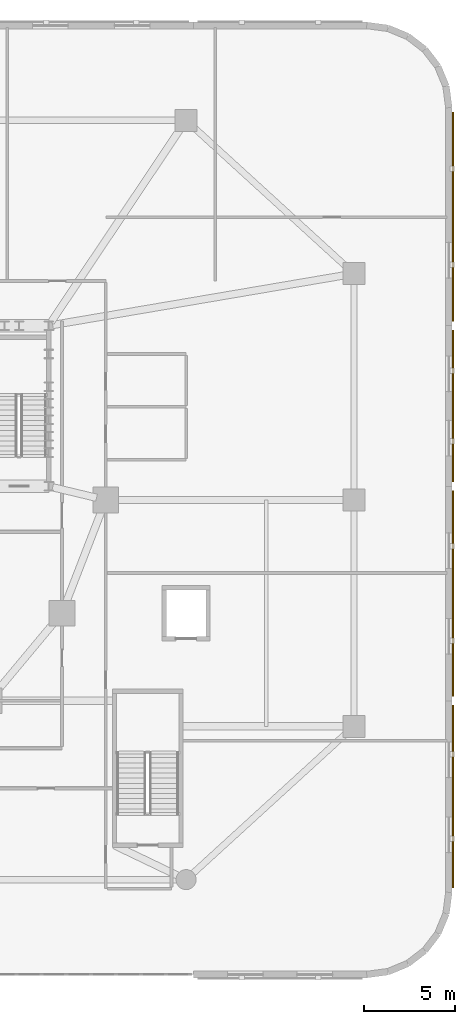
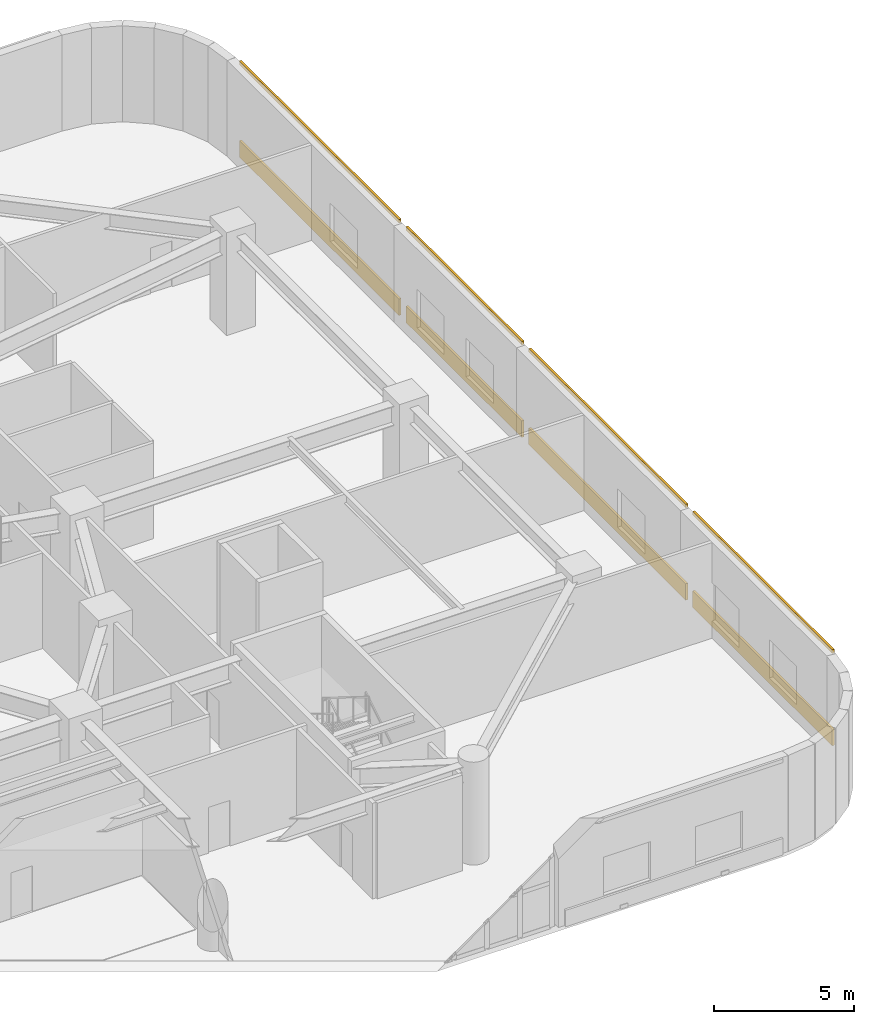
# One storey, part 25 of 25: 8 coverings.
"""IFC4 building model written with IfcOpenShell, lengths in metres."""

from ifc_helpers import new_model, si_unit, direction, frame, origin, place, context, subcontext, project, spatial, polyline, outline, extrude, material, layer, layer_set, type_object, element, save


model = new_model("IFC4")

# Units and contexts
model_context = context("Model", 3, precision=1e-05, world=origin(), true_north=direction((0.0, 1.0)))
body_context = subcontext(model_context, "Body", "Model", "MODEL_VIEW")
ifc_project = project(units=[si_unit("LENGTHUNIT", "METRE"), si_unit("AREAUNIT", "SQUARE_METRE"), si_unit("VOLUMEUNIT", "CUBIC_METRE"), si_unit("PLANEANGLEUNIT", "RADIAN"), si_unit("MASSUNIT", "GRAM", prefix="KILO")], contexts=[model_context])

# Site, building, storey
site_placement = place(None, origin())
site = spatial("IfcSite", under=ifc_project, at=site_placement, CompositionType="ELEMENT")
building_placement = place(site_placement, origin())
building = spatial("IfcBuilding", under=site, at=building_placement, Name="Haldorwick Loom Tower", CompositionType="ELEMENT")
storey_placement = place(building_placement, frame((0.0, 0.0, 10.5)))
storey = spatial("IfcBuildingStorey", under=building, at=storey_placement, Name="L02", CompositionType="ELEMENT", Elevation=10.5)

# Coverings
ifc_material = material(Name="Corbelled Pressed Clay Face Brick Veneer", Category="masonry")
ifc_layer = layer(ifc_material, 0.090087890625, Name="Corbelled Pressed Clay Face Brick Veneer", Category="masonry")
ifc_layer_set = layer_set([ifc_layer], Name="Corbelled Pressed Clay Face Brick Veneer")
covering_type = type_object("IfcCoveringType", Name="ARC-COV-BRICK090", PredefinedType="CLADDING", material=ifc_layer_set)
covering_1_placement = place(storey_placement, origin())
element("IfcCovering", 1, at=covering_1_placement, inside=storey, type_object=covering_type, Name="L02 Sill Face-Brick Spandrel 7", PredefinedType="CLADDING", context=body_context, shape_type="SweptSolid", body=[
    extrude(outline(polyline([(72.27001953125, 4.75), (72.27001953125, 14.75), (72.179931640625, 14.75), (72.179931640625, 4.75), (72.27001953125, 4.75)])), origin(), (0.0, 0.0, 1.0), 0.719970703125),
])
covering_2_placement = place(storey_placement, frame((0.0, 0.0, 4.0400390625)))
element("IfcCovering", 2, at=covering_2_placement, inside=storey, type_object=covering_type, Name="L02 Head Face-Brick Lintel Band 7", PredefinedType="CLADDING", context=body_context, shape_type="SweptSolid", body=[
    extrude(outline(polyline([(72.27001953125, 4.75), (72.27001953125, 14.75), (72.179931640625, 14.75), (72.179931640625, 4.75), (72.27001953125, 4.75)])), origin(), (0.0, 0.0, 1.0), 0.159912109375),
])
covering_3_placement = place(storey_placement, origin())
element("IfcCovering", 3, at=covering_3_placement, inside=storey, type_object=covering_type, Name="L02 Sill Face-Brick Spandrel 8", PredefinedType="CLADDING", context=body_context, shape_type="SweptSolid", body=[
    extrude(outline(polyline([(72.27001953125, 15.25), (72.27001953125, 26.5), (72.179931640625, 26.5), (72.179931640625, 15.25), (72.27001953125, 15.25)])), origin(), (0.0, 0.0, 1.0), 0.719970703125),
])
covering_4_placement = place(storey_placement, frame((0.0, 0.0, 4.0400390625)))
element("IfcCovering", 4, at=covering_4_placement, inside=storey, type_object=covering_type, Name="L02 Head Face-Brick Lintel Band 8", PredefinedType="CLADDING", context=body_context, shape_type="SweptSolid", body=[
    extrude(outline(polyline([(72.27001953125, 15.25), (72.27001953125, 26.5), (72.179931640625, 26.5), (72.179931640625, 15.25), (72.27001953125, 15.25)])), origin(), (0.0, 0.0, 1.0), 0.159912109375),
])
covering_5_placement = place(storey_placement, origin())
element("IfcCovering", 5, at=covering_5_placement, inside=storey, type_object=covering_type, Name="L02 Sill Face-Brick Spandrel 9", PredefinedType="CLADDING", context=body_context, shape_type="SweptSolid", body=[
    extrude(outline(polyline([(72.27001953125, 27.0), (72.27001953125, 35.300048828125), (72.179931640625, 35.300048828125), (72.179931640625, 27.0), (72.27001953125, 27.0)])), origin(), (0.0, 0.0, 1.0), 0.719970703125),
])
covering_6_placement = place(storey_placement, frame((0.0, 0.0, 4.0400390625)))
element("IfcCovering", 6, at=covering_6_placement, inside=storey, type_object=covering_type, Name="L02 Head Face-Brick Lintel Band 9", PredefinedType="CLADDING", context=body_context, shape_type="SweptSolid", body=[
    extrude(outline(polyline([(72.27001953125, 27.0), (72.27001953125, 35.300048828125), (72.179931640625, 35.300048828125), (72.179931640625, 27.0), (72.27001953125, 27.0)])), origin(), (0.0, 0.0, 1.0), 0.159912109375),
])
covering_7_placement = place(storey_placement, origin())
element("IfcCovering", 7, at=covering_7_placement, inside=storey, type_object=covering_type, Name="L02 Sill Face-Brick Spandrel 10", PredefinedType="CLADDING", context=body_context, shape_type="SweptSolid", body=[
    extrude(outline(polyline([(72.27001953125, 35.800048828125), (72.27001953125, 47.25), (72.179931640625, 47.25), (72.179931640625, 35.800048828125), (72.27001953125, 35.800048828125)])), origin(), (0.0, 0.0, 1.0), 0.719970703125),
])
covering_8_placement = place(storey_placement, frame((0.0, 0.0, 4.0400390625)))
element("IfcCovering", 8, at=covering_8_placement, inside=storey, type_object=covering_type, Name="L02 Head Face-Brick Lintel Band 10", PredefinedType="CLADDING", context=body_context, shape_type="SweptSolid", body=[
    extrude(outline(polyline([(72.27001953125, 35.800048828125), (72.27001953125, 47.25), (72.179931640625, 47.25), (72.179931640625, 35.800048828125), (72.27001953125, 35.800048828125)])), origin(), (0.0, 0.0, 1.0), 0.159912109375),
])

save(model, "model.ifc")
